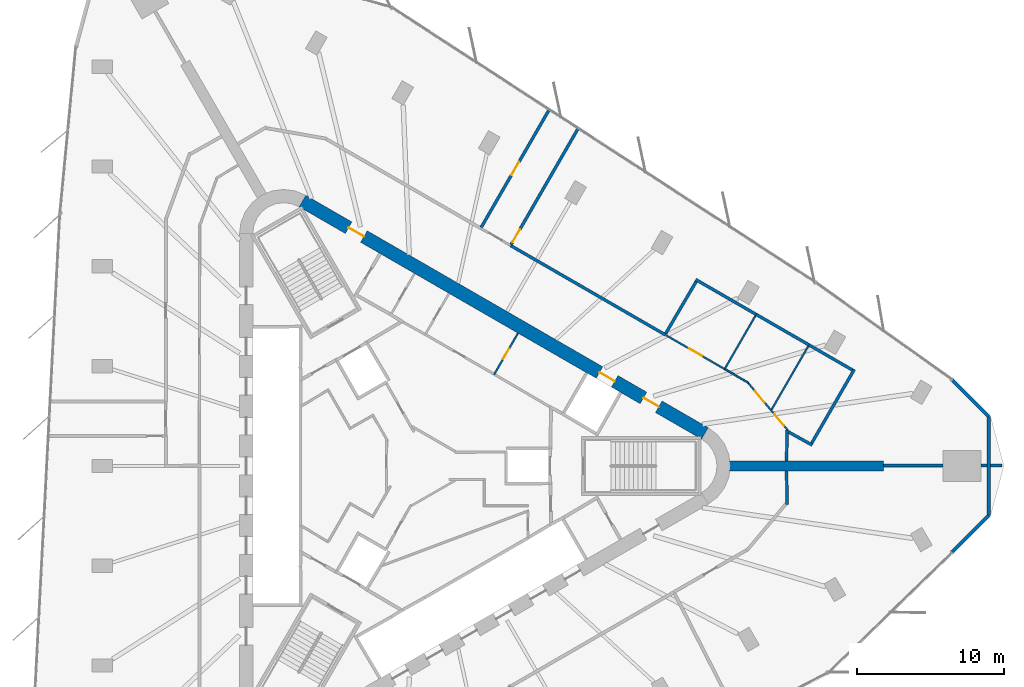
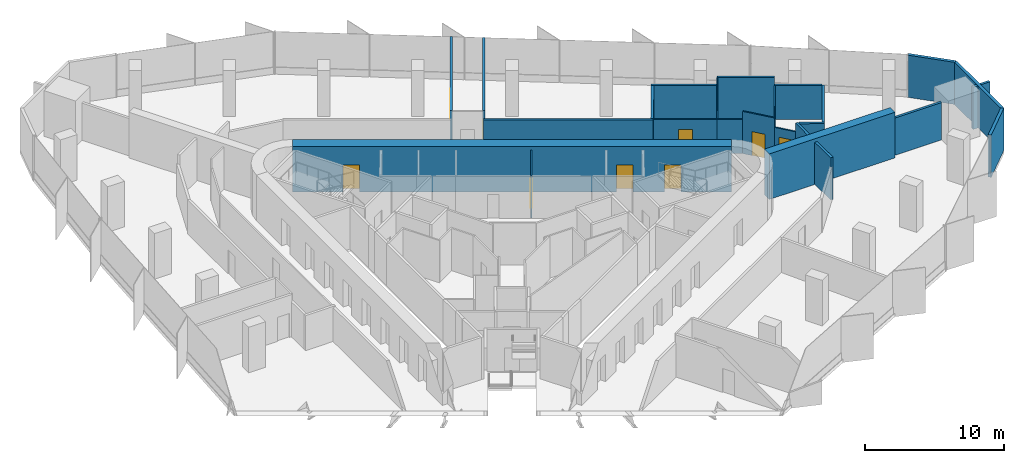
# One storey, part 12 of 14: 26 walls, 9 doors, 9 openings.
"""IFC4 building model written with IfcOpenShell, lengths in metres."""

from ifc_helpers import new_model, si_unit, direction, frame, frame_2d, origin, place, context, subcontext, project, spatial, rectangle, extrude, material, layer, layer_set, type_object, element, fill, save


model = new_model("IFC4")

# Units and contexts
model_context = context("Model", 3, precision=1e-05, world=origin(), true_north=direction((0.0, 1.0)))
body_context = subcontext(model_context, "Body", "Model", "MODEL_VIEW")
ifc_project = project(units=[si_unit("LENGTHUNIT", "METRE"), si_unit("AREAUNIT", "SQUARE_METRE"), si_unit("VOLUMEUNIT", "CUBIC_METRE"), si_unit("PLANEANGLEUNIT", "RADIAN"), si_unit("MASSUNIT", "GRAM", prefix="KILO")], contexts=[model_context])

# Site, building, storey
site_placement = place(None, origin())
site = spatial("IfcSite", under=ifc_project, at=site_placement, CompositionType="ELEMENT")
building_placement = place(site_placement, origin())
building = spatial("IfcBuilding", under=site, at=building_placement, Name="Tanit Gate Tower", CompositionType="ELEMENT")
storey_placement = place(building_placement, frame((0.0, 0.0, 261.199951171875)))
storey = spatial("IfcBuildingStorey", under=building, at=storey_placement, Name="L59", CompositionType="ELEMENT", Elevation=261.199951171875)

# Wall
ifc_material_1 = material(Name="Concrete C50/60", Category="concrete")
ifc_layer_1 = layer(ifc_material_1, 0.699951171875)
ifc_layer_set_1 = layer_set([ifc_layer_1], Name="BUTTRESS FIN 700 C50/60")
wall_type_1 = type_object("IfcWallType", Name="BUTTRESS FIN 700 C50/60", PredefinedType="SHEAR", material=ifc_layer_set_1)
wall_1_placement = place(storey_placement, frame((21.14990234375, 0.0, 0.0), z_axis=(0.0, 0.0, 1.0), x_axis=(1.0, 0.0, 0.0)))
element("IfcWall", 1, at=wall_1_placement, inside=storey, type_object=wall_type_1, Name="BUTTRESS FIN", PredefinedType="SHEAR", context=body_context, shape_type="SweptSolid", body=[
    extrude(rectangle(XDim=10.4326171875, YDim=0.699951171875, at=frame_2d((5.21630859375, 0.0))), origin(), (0.0, 0.0, 1.0), 4.0),
])

# Wall, openings, doors
ifc_material_2 = material(Name="Concrete C50/60", Category="concrete")
ifc_layer_2 = layer(ifc_material_2, 0.89990234375)
ifc_layer_set_2 = layer_set([ifc_layer_2], Name="CORE WALL 900 C50/60")
wall_type_2 = type_object("IfcWallType", Name="CORE WALL 900 C50/60", PredefinedType="SHEAR", material=ifc_layer_set_2)
wall_2_placement = place(storey_placement, frame((19.47509765625, 2.20849609375, 0.0), z_axis=(0.0, 0.0, 1.0), x_axis=(-0.866028369851, 0.499994862586, 0.0)))
wall_2 = element("IfcWall", 2, at=wall_2_placement, inside=storey, type_object=wall_type_2, Name="CORE WALL", PredefinedType="SHEAR", context=body_context, shape_type="SweptSolid", body=[
    extrude(rectangle(XDim=31.523193359375, YDim=0.89990234375, at=frame_2d((15.76171875, 0.0))), origin(), (0.0, 0.0, 1.0), 4.0),
])
opening_1_placement = place(wall_2_placement, frame((7.0615234375, 0.0, 0.0)))
opening_1 = element("IfcOpeningElement", 3, at=opening_1_placement, cuts=wall_2, Name="Opening LDML8-S16", PredefinedType="OPENING", context=body_context, shape_type="SweptSolid", body=[
    extrude(rectangle(XDim=1.199951171875, YDim=2.39990234375, at=frame_2d((0.60009765625, 1.199951171875))), frame((0.0, 0.4599609375, 0.0), z_axis=(0.0, -1.0, 0.0), x_axis=(1.0, 0.0, 0.0)), (0.0, 0.0, 1.0), 0.919921875),
])
opening_2_placement = place(wall_2_placement, frame((3.611572265625, 0.0, 0.0)))
opening_2 = element("IfcOpeningElement", 4, at=opening_2_placement, cuts=wall_2, Name="Opening F12-S16-FL1", PredefinedType="OPENING", context=body_context, shape_type="SweptSolid", body=[
    extrude(rectangle(XDim=1.199951171875, YDim=2.39990234375, at=frame_2d((0.60009765625, 1.199951171875))), frame((0.0, 0.4599609375, 0.0), z_axis=(0.0, -1.0, 0.0), x_axis=(1.0, 0.0, 0.0)), (0.0, 0.0, 1.0), 0.919921875),
])
opening_3_placement = place(wall_2_placement, frame((26.711669921875, 0.0, 0.0)))
opening_3 = element("IfcOpeningElement", 5, at=opening_3_placement, cuts=wall_2, Name="Opening F12-S16-S2", PredefinedType="OPENING", context=body_context, shape_type="SweptSolid", body=[
    extrude(rectangle(XDim=1.199951171875, YDim=2.39990234375, at=frame_2d((0.60009765625, 1.199951171875))), frame((0.0, 0.4599609375, 0.0), z_axis=(0.0, -1.0, 0.0), x_axis=(1.0, 0.0, 0.0)), (0.0, 0.0, 1.0), 0.919921875),
])
ifc_material_3 = material(Name="Fire-rated steel door leaf", Category="steel")
door_type_1 = type_object("IfcDoorType", Name="INT-DOOR-FIRE-LOBBY-1200", OperationType="NOTDEFINED", PredefinedType="USERDEFINED", material=ifc_material_3)
door_1_placement = place(opening_2_placement, origin())
door_1 = element("IfcDoor", 6, at=door_1_placement, inside=storey, type_object=door_type_1, Name="Door F12-S16-FL1", ObjectType="FIRE DOOR", OperationType="SINGLE_SWING_RIGHT", OverallHeight=2.39990234375, OverallWidth=1.199951171875, PredefinedType="USERDEFINED", context=body_context, shape_type="SweptSolid", body=[
    extrude(rectangle(XDim=1.199951171875, YDim=2.39990234375, at=frame_2d((0.60009765625, 1.199951171875))), frame((0.0, 0.02490234375, 0.0), z_axis=(0.0, -1.0, 0.0), x_axis=(1.0, 0.0, 0.0)), (0.0, 0.0, 1.0), 0.050048828125),
])
fill(opening_2, door_1)
door_2_placement = place(opening_3_placement, origin())
door_2 = element("IfcDoor", 7, at=door_2_placement, inside=storey, type_object=door_type_1, Name="Door F12-S16-S2", ObjectType="FIRE DOOR", OperationType="SINGLE_SWING_RIGHT", OverallHeight=2.39990234375, OverallWidth=1.199951171875, PredefinedType="USERDEFINED", context=body_context, shape_type="SweptSolid", body=[
    extrude(rectangle(XDim=1.199951171875, YDim=2.39990234375, at=frame_2d((0.60009765625, 1.199951171875))), frame((0.0, 0.02490234375, 0.0), z_axis=(0.0, -1.0, 0.0), x_axis=(1.0, 0.0, 0.0)), (0.0, 0.0, 1.0), 0.050048828125),
])
fill(opening_3, door_2)
ifc_material_4 = material(Name="Stainless steel sliding door leaf", Category="steel")
door_type_2 = type_object("IfcDoorType", Name="INT-DOOR-LANDING-1200", OperationType="NOTDEFINED", PredefinedType="USERDEFINED", material=ifc_material_4)
door_3_placement = place(opening_1_placement, origin())
door_3 = element("IfcDoor", 8, at=door_3_placement, inside=storey, type_object=door_type_2, Name="Door LDML8-S16", ObjectType="LANDING DOOR", OperationType="SLIDING_TO_LEFT", OverallHeight=2.39990234375, OverallWidth=1.199951171875, PredefinedType="USERDEFINED", context=body_context, shape_type="SweptSolid", body=[
    extrude(rectangle(XDim=1.199951171875, YDim=2.39990234375, at=frame_2d((0.60009765625, 1.199951171875))), frame((0.0, 0.02490234375, 0.0), z_axis=(0.0, -1.0, 0.0), x_axis=(1.0, 0.0, 0.0)), (0.0, 0.0, 1.0), 0.050048828125),
])
fill(opening_1, door_3)

# Walls
ifc_material_5 = material(Name="Concrete C30/37 with bronze anodised aluminium cladding", Category="concrete")
ifc_layer_3 = layer(ifc_material_5, 0.239990234375)
ifc_layer_set_3 = layer_set([ifc_layer_3], Name="Facade wall bronze clad 240")
wall_type_3 = type_object("IfcWallType", Name="Facade wall bronze clad 240", PredefinedType="SOLIDWALL", material=ifc_layer_set_3)
wall_3_placement = place(storey_placement, frame((36.263427734375, -5.842041015625, 0.0), z_axis=(0.0, 0.0, 1.0), x_axis=(0.707106781187, 0.707106781187, 0.0)))
element("IfcWall", 9, at=wall_3_placement, inside=storey, type_object=wall_type_3, Name="Bronze-clad facade wall L59 E.arc1", PredefinedType="SOLIDWALL", context=body_context, shape_type="SweptSolid", body=[
    extrude(rectangle(XDim=3.510009765625, YDim=0.239990234375, at=frame_2d((1.7548828125, 0.0))), origin(), (0.0, 0.0, 1.0), 3.699951171875),
])
wall_4_placement = place(storey_placement, frame((38.745361328125, -3.360107421875, 0.0), z_axis=(0.0, 0.0, 1.0), x_axis=(0.0, 1.0, 0.0)))
element("IfcWall", 10, at=wall_4_placement, inside=storey, type_object=wall_type_3, Name="Bronze-clad facade wall L59 E.arc2", PredefinedType="SOLIDWALL", context=body_context, shape_type="SweptSolid", body=[
    extrude(rectangle(XDim=6.72021484375, YDim=0.239990234375, at=frame_2d((3.360107421875, 0.0))), origin(), (0.0, 0.0, 1.0), 3.699951171875),
])
wall_5_placement = place(storey_placement, frame((38.745361328125, 3.360107421875, 0.0), z_axis=(0.0, 0.0, 1.0), x_axis=(-0.707071911409, 0.707141649244, 0.0)))
element("IfcWall", 11, at=wall_5_placement, inside=storey, type_object=wall_type_3, Name="Bronze-clad facade wall L59 E.arc3", PredefinedType="SOLIDWALL", context=body_context, shape_type="SweptSolid", body=[
    extrude(rectangle(XDim=3.500732421875, YDim=0.239990234375, at=frame_2d((1.75048828125, 0.0))), origin(), (0.0, 0.0, 1.0), 3.699951171875),
])
ifc_material_6 = material(Name="Fire-rated gypsum board partition")
ifc_layer_4 = layer(ifc_material_6, 0.199951171875)
ifc_layer_set_4 = layer_set([ifc_layer_4], Name="INT-WALL-COMPARTMENT")
wall_type_4 = type_object("IfcWallType", Name="INT-WALL-COMPARTMENT", PredefinedType="PARTITIONING", material=ifc_layer_set_4)
wall_6_placement = place(storey_placement, frame((16.82275390625, 8.8779296875, 0.0), z_axis=(0.0, 0.0, 1.0), x_axis=(-0.866020355572, 0.500008743658, 0.0)))
element("IfcWall", 12, at=wall_6_placement, inside=storey, type_object=wall_type_4, Name="Wall Compartment W103", PredefinedType="PARTITIONING", context=body_context, shape_type="SweptSolid", body=[
    extrude(rectangle(XDim=12.179931640625, YDim=0.199951171875, at=frame_2d((6.08984375, 0.0))), origin(), (0.0, 0.0, 1.0), 2.97998046875),
])
wall_7_placement = place(storey_placement, frame((25.0205078125, 0.35009765625, 0.0), z_axis=(0.0, 0.0, 1.0), x_axis=(0.012334587904, 0.999923926077, 0.0)))
element("IfcWall", 13, at=wall_7_placement, inside=storey, type_object=wall_type_4, Name="Wall Compartment W104", PredefinedType="PARTITIONING", context=body_context, shape_type="SweptSolid", body=[
    extrude(rectangle(XDim=2.078369140625, YDim=0.199951171875, at=frame_2d((1.0390625, 0.0))), origin(), (0.0, 0.0, 1.0), 3.699951171875),
])
wall_8_placement = place(storey_placement, frame((25.047607421875, -2.608154296875, 0.0), z_axis=(0.0, 0.0, 1.0), x_axis=(-0.012000433251, 0.999927992208, 0.0)))
element("IfcWall", 14, at=wall_8_placement, inside=storey, type_object=wall_type_4, Name="Wall Compartment W110", PredefinedType="PARTITIONING", context=body_context, shape_type="SweptSolid", body=[
    extrude(rectangle(XDim=2.25830078125, YDim=0.199951171875, at=frame_2d((1.129150390625, 0.0))), origin(), (0.0, 0.0, 1.0), 3.699951171875),
])

# Wall, opening, door
wall_9_placement = place(storey_placement, frame((8.912109375, 24.17626953125, 0.0), z_axis=(0.0, 0.0, 1.0), x_axis=(-0.500000924775, -0.866024869865, 0.0)))
wall_9 = element("IfcWall", 15, at=wall_9_placement, inside=storey, type_object=wall_type_4, Name="Wall Compartment W126", PredefinedType="PARTITIONING", context=body_context, shape_type="SweptSolid", body=[
    extrude(rectangle(XDim=9.2333984375, YDim=0.199951171875, at=frame_2d((4.61669921875, 0.0))), origin(), (0.0, 0.0, 1.0), 3.699951171875),
])
opening_4_placement = place(wall_9_placement, frame((4.11669921875, 0.0, 0.0)))
opening_4 = element("IfcOpeningElement", 16, at=opening_4_placement, cuts=wall_9, Name="Opening F10-S16-32", PredefinedType="OPENING", context=body_context, shape_type="SweptSolid", body=[
    extrude(rectangle(XDim=1.0, YDim=2.10009765625, at=frame_2d((0.5, 1.050048828125))), frame((0.0, 0.10986328125, 0.0), z_axis=(0.0, -1.0, 0.0), x_axis=(1.0, 0.0, 0.0)), (0.0, 0.0, 1.0), 0.219970703125),
])
ifc_material_7 = material(Name="Fire-rated steel door leaf", Category="steel")
door_type_3 = type_object("IfcDoorType", Name="INT-DOOR-FIRE-1000", OperationType="NOTDEFINED", PredefinedType="USERDEFINED", material=ifc_material_7)
door_4_placement = place(opening_4_placement, origin())
door_4 = element("IfcDoor", 17, at=door_4_placement, inside=storey, type_object=door_type_3, Name="Door F10-S16-32", ObjectType="FIRE DOOR", OperationType="SINGLE_SWING_RIGHT", OverallHeight=2.10009765625, OverallWidth=1.0, PredefinedType="USERDEFINED", context=body_context, shape_type="SweptSolid", body=[
    extrude(rectangle(XDim=1.0, YDim=2.10009765625, at=frame_2d((0.5, 1.050048828125))), frame((0.0, 0.02490234375, 0.0), z_axis=(0.0, -1.0, 0.0), x_axis=(1.0, 0.0, 0.0)), (0.0, 0.0, 1.0), 0.050048828125),
])
fill(opening_4, door_4)

wall_10_placement = place(storey_placement, frame((6.322021484375, 15.010009765625, 0.0), z_axis=(0.0, 0.0, 1.0), x_axis=(0.500009283198, 0.866020044061, 0.0)))
wall_10 = element("IfcWall", 18, at=wall_10_placement, inside=storey, type_object=wall_type_4, Name="Wall Compartment W127", PredefinedType="PARTITIONING", context=body_context, shape_type="SweptSolid", body=[
    extrude(rectangle(XDim=9.111572265625, YDim=0.199951171875, at=frame_2d((4.5556640625, 0.0))), origin(), (0.0, 0.0, 1.0), 3.699951171875),
])
opening_5_placement = place(wall_10_placement, frame((0.199951171875, 0.0, 0.0)))
opening_5 = element("IfcOpeningElement", 19, at=opening_5_placement, cuts=wall_10, Name="Opening F10-S16-33", PredefinedType="OPENING", context=body_context, shape_type="SweptSolid", body=[
    extrude(rectangle(XDim=1.0, YDim=2.10009765625, at=frame_2d((0.5, 1.050048828125))), frame((0.0, 0.10986328125, 0.0), z_axis=(0.0, -1.0, 0.0), x_axis=(1.0, 0.0, 0.0)), (0.0, 0.0, 1.0), 0.219970703125),
])
door_5_placement = place(opening_5_placement, origin())
door_5 = element("IfcDoor", 20, at=door_5_placement, inside=storey, type_object=door_type_3, Name="Door F10-S16-33", ObjectType="FIRE DOOR", OperationType="SINGLE_SWING_RIGHT", OverallHeight=2.10009765625, OverallWidth=1.0, PredefinedType="USERDEFINED", context=body_context, shape_type="SweptSolid", body=[
    extrude(rectangle(XDim=1.0, YDim=2.10009765625, at=frame_2d((0.5, 1.050048828125))), frame((0.0, 0.02490234375, 0.0), z_axis=(0.0, -1.0, 0.0), x_axis=(1.0, 0.0, 0.0)), (0.0, 0.0, 1.0), 0.050048828125),
])
fill(opening_5, door_5)

# Walls
wall_11_placement = place(storey_placement, frame((31.58251953125, 0.030029296875, 0.0), z_axis=(0.0, 0.0, 1.0), x_axis=(1.0, 0.0, 0.0)))
element("IfcWall", 21, at=wall_11_placement, inside=storey, type_object=wall_type_4, Name="Wall Compartment W128", PredefinedType="PARTITIONING", context=body_context, shape_type="SweptSolid", body=[
    extrude(rectangle(XDim=4.03759765625, YDim=0.199951171875, at=frame_2d((2.018798828125, 0.0))), origin(), (0.0, 0.0, 1.0), 3.27001953125),
])
wall_12_placement = place(storey_placement, frame((38.219970703125, 0.030029296875, 0.0), z_axis=(0.0, 0.0, 1.0), x_axis=(1.0, 0.0, 0.0)))
element("IfcWall", 22, at=wall_12_placement, inside=storey, type_object=wall_type_4, Name="Wall Compartment W129", PredefinedType="PARTITIONING", context=body_context, shape_type="SweptSolid", body=[
    extrude(rectangle(XDim=0.405517578125, YDim=0.199951171875, at=frame_2d((0.20263671875, 0.0))), origin(), (0.0, 0.0, 1.0), 3.699951171875),
])
wall_13_placement = place(storey_placement, frame((38.865478515625, 0.030029296875, 0.0), z_axis=(0.0, 0.0, 1.0), x_axis=(1.0, 0.0, 0.0)))
element("IfcWall", 23, at=wall_13_placement, inside=storey, type_object=wall_type_4, Name="Wall Compartment W129x1", PredefinedType="PARTITIONING", context=body_context, shape_type="SweptSolid", body=[
    extrude(rectangle(XDim=0.772216796875, YDim=0.199951171875, at=frame_2d((0.38623046875, 0.0))), origin(), (0.0, 0.0, 1.0), 3.699951171875),
])
wall_14_placement = place(storey_placement, frame((18.850341796875, 12.649658203125, 0.0), z_axis=(0.0, 0.0, 1.0), x_axis=(0.866019207135, -0.500010732759, 0.0)))
element("IfcWall", 24, at=wall_14_placement, inside=storey, type_object=wall_type_4, Name="Wall Compartment W130", PredefinedType="PARTITIONING", context=body_context, shape_type="SweptSolid", body=[
    extrude(rectangle(XDim=4.74072265625, YDim=0.199951171875, at=frame_2d((2.370361328125, 0.0))), origin(), (0.0, 0.0, 1.0), 2.97998046875),
])
wall_15_placement = place(storey_placement, frame((22.955810546875, 10.279296875, 0.0), z_axis=(0.0, 0.0, 1.0), x_axis=(0.86601450623, -0.500018874643, 0.0)))
element("IfcWall", 25, at=wall_15_placement, inside=storey, type_object=wall_type_4, Name="Wall Compartment W132", PredefinedType="PARTITIONING", context=body_context, shape_type="SweptSolid", body=[
    extrude(rectangle(XDim=4.135009765625, YDim=0.199951171875, at=frame_2d((2.0673828125, 0.0))), origin(), (0.0, 0.0, 1.0), 3.699951171875),
])
wall_16_placement = place(storey_placement, frame((26.536865234375, 8.211669921875, 0.0), z_axis=(0.0, 0.0, 1.0), x_axis=(0.866034661658, -0.49998396455, 0.0)))
element("IfcWall", 26, at=wall_16_placement, inside=storey, type_object=wall_type_4, Name="Wall Compartment W135", PredefinedType="PARTITIONING", context=body_context, shape_type="SweptSolid", body=[
    extrude(rectangle(XDim=3.39404296875, YDim=0.199951171875, at=frame_2d((1.697021484375, 0.0))), origin(), (0.0, 0.0, 1.0), 2.97998046875),
])
wall_17_placement = place(storey_placement, frame((18.88623046875, 12.513427734375, 0.0), z_axis=(0.0, 0.0, 1.0), x_axis=(-0.506023514177, -0.862519682732, 0.0)))
element("IfcWall", 27, at=wall_17_placement, inside=storey, type_object=wall_type_4, Name="Wall Compartment W131", PredefinedType="PARTITIONING", context=body_context, shape_type="SweptSolid", body=[
    extrude(rectangle(XDim=4.080322265625, YDim=0.199951171875, at=frame_2d((2.0400390625, 0.0))), origin(), (0.0, 0.0, 1.0), 2.97998046875),
])
wall_18_placement = place(storey_placement, frame((25.1455078125, 2.308349609375, 0.0), z_axis=(0.0, 0.0, 1.0), x_axis=(0.873988954693, -0.485945786147, 0.0)))
element("IfcWall", 28, at=wall_18_placement, inside=storey, type_object=wall_type_4, Name="Wall Compartment W133", PredefinedType="PARTITIONING", context=body_context, shape_type="SweptSolid", body=[
    extrude(rectangle(XDim=1.847900390625, YDim=0.199951171875, at=frame_2d((0.923828125, 0.0))), origin(), (0.0, 0.0, 1.0), 3.699951171875),
])
wall_19_placement = place(storey_placement, frame((26.722900390625, 1.545654296875, 0.0), z_axis=(0.0, 0.0, 1.0), x_axis=(0.500018609004, 0.866014659605, 0.0)))
element("IfcWall", 29, at=wall_19_placement, inside=storey, type_object=wall_type_4, Name="Wall Compartment W134", PredefinedType="PARTITIONING", context=body_context, shape_type="SweptSolid", body=[
    extrude(rectangle(XDim=5.780029296875, YDim=0.199951171875, at=frame_2d((2.89013671875, 0.0))), origin(), (0.0, 0.0, 1.0), 2.880126953125),
])

# Wall, opening, door
ifc_material_8 = material(Name="Gypsum board partition")
ifc_layer_5 = layer(ifc_material_8, 0.1201171875)
ifc_layer_set_5 = layer_set([ifc_layer_5], Name="INT-WALL-PARTITION")
wall_type_5 = type_object("IfcWallType", Name="INT-WALL-PARTITION", PredefinedType="PARTITIONING", material=ifc_layer_set_5)
wall_20_placement = place(storey_placement, frame((6.795166015625, 9.009521484375, 0.0), z_axis=(0.0, 0.0, 1.0), x_axis=(-0.499984717929, -0.866034226713, 0.0)))
wall_20 = element("IfcWall", 30, at=wall_20_placement, inside=storey, type_object=wall_type_5, Name="Wall Partition W050", PredefinedType="PARTITIONING", context=body_context, shape_type="SweptSolid", body=[
    extrude(rectangle(XDim=3.25, YDim=0.1201171875, at=frame_2d((1.625, 0.0))), origin(), (0.0, 0.0, 1.0), 3.699951171875),
])
opening_6_placement = place(wall_20_placement, frame((1.22509765625, 0.0, 0.0)))
opening_6 = element("IfcOpeningElement", 31, at=opening_6_placement, cuts=wall_20, Name="Opening R08-S16-14", PredefinedType="OPENING", context=body_context, shape_type="SweptSolid", body=[
    extrude(rectangle(XDim=0.800048828125, YDim=2.10009765625, at=frame_2d((0.39990234375, 1.050048828125))), frame((0.0, 0.070068359375, 0.0), z_axis=(0.0, -1.0, 0.0), x_axis=(1.0, 0.0, 0.0)), (0.0, 0.0, 1.0), 0.14013671875),
])
ifc_material_9 = material(Name="Timber door leaf", Category="wood")
door_type_4 = type_object("IfcDoorType", Name="INT-DOOR-RISER-800", OperationType="NOTDEFINED", PredefinedType="USERDEFINED", material=ifc_material_9)
door_6_placement = place(opening_6_placement, origin())
door_6 = element("IfcDoor", 32, at=door_6_placement, inside=storey, type_object=door_type_4, Name="Door R08-S16-14", ObjectType="FIRE DOOR", OperationType="SINGLE_SWING_RIGHT", OverallHeight=2.10009765625, OverallWidth=0.800048828125, PredefinedType="USERDEFINED", context=body_context, shape_type="SweptSolid", body=[
    extrude(rectangle(XDim=0.800048828125, YDim=2.10009765625, at=frame_2d((0.39990234375, 1.050048828125))), frame((0.0, 0.02490234375, 0.0), z_axis=(0.0, -1.0, 0.0), x_axis=(1.0, 0.0, 0.0)), (0.0, 0.0, 1.0), 0.050048828125),
])
fill(opening_6, door_6)

# Wall
wall_21_placement = place(storey_placement, frame((22.431396484375, 5.639892578125, 0.0), z_axis=(0.0, 0.0, 1.0), x_axis=(-0.866019968675, 0.500009413767, 0.0)))
element("IfcWall", 33, at=wall_21_placement, inside=storey, type_object=wall_type_5, Name="Wall Partition W106", PredefinedType="PARTITIONING", context=body_context, shape_type="SweptSolid", body=[
    extrude(rectangle(XDim=1.86572265625, YDim=0.1201171875, at=frame_2d((0.932861328125, 0.0))), origin(), (0.0, 0.0, 1.0), 2.97998046875),
])

# Wall, opening, door
wall_22_placement = place(storey_placement, frame((20.815673828125, 6.57275390625, 0.0), z_axis=(0.0, 0.0, 1.0), x_axis=(-0.866038816861, 0.499976767151, 0.0)))
wall_22 = element("IfcWall", 34, at=wall_22_placement, inside=storey, type_object=wall_type_5, Name="Wall Partition W105", PredefinedType="PARTITIONING", context=body_context, shape_type="SweptSolid", body=[
    extrude(rectangle(XDim=4.570556640625, YDim=0.1201171875, at=frame_2d((2.28515625, 0.0))), origin(), (0.0, 0.0, 1.0), 2.97998046875),
])
opening_7_placement = place(wall_22_placement, frame((1.785400390625, 0.0, 0.0)))
opening_7 = element("IfcOpeningElement", 35, at=opening_7_placement, cuts=wall_22, Name="Opening D10-S16-27", PredefinedType="OPENING", context=body_context, shape_type="SweptSolid", body=[
    extrude(rectangle(XDim=1.0, YDim=2.10009765625, at=frame_2d((0.5, 1.050048828125))), frame((0.0, 0.070068359375, 0.0), z_axis=(0.0, -1.0, 0.0), x_axis=(1.0, 0.0, 0.0)), (0.0, 0.0, 1.0), 0.14013671875),
])
ifc_material_10 = material(Name="Timber door leaf", Category="wood")
door_type_5 = type_object("IfcDoorType", Name="INT-DOOR-SINGLE-1000", OperationType="NOTDEFINED", PredefinedType="NOTDEFINED", material=ifc_material_10)
door_7_placement = place(opening_7_placement, origin())
door_7 = element("IfcDoor", 36, at=door_7_placement, inside=storey, type_object=door_type_5, Name="Door D10-S16-27", OperationType="SINGLE_SWING_RIGHT", OverallHeight=2.10009765625, OverallWidth=1.0, PredefinedType="NOTDEFINED", context=body_context, shape_type="SweptSolid", body=[
    extrude(rectangle(XDim=1.0, YDim=2.10009765625, at=frame_2d((0.5, 1.050048828125))), frame((0.0, 0.02490234375, 0.0), z_axis=(0.0, -1.0, 0.0), x_axis=(1.0, 0.0, 0.0)), (0.0, 0.0, 1.0), 0.050048828125),
])
fill(opening_7, door_7)

wall_23_placement = place(storey_placement, frame((25.10009765625, 2.427490234375, 0.0), z_axis=(0.0, 0.0, 1.0), x_axis=(-0.642728930344, 0.766093677104, 0.0)))
wall_23 = element("IfcWall", 37, at=wall_23_placement, inside=storey, type_object=wall_type_5, Name="Wall Partition W108", PredefinedType="PARTITIONING", context=body_context, shape_type="SweptSolid", body=[
    extrude(rectangle(XDim=1.743408203125, YDim=0.1201171875, at=frame_2d((0.87158203125, 0.0))), origin(), (0.0, 0.0, 1.0), 2.880126953125),
])
opening_8_placement = place(wall_23_placement, frame((0.413818359375, 0.0, 0.0)))
opening_8 = element("IfcOpeningElement", 38, at=opening_8_placement, cuts=wall_23, Name="Opening D10-S16-29", PredefinedType="OPENING", context=body_context, shape_type="SweptSolid", body=[
    extrude(rectangle(XDim=1.0, YDim=2.10009765625, at=frame_2d((0.5, 1.050048828125))), frame((0.0, 0.070068359375, 0.0), z_axis=(0.0, -1.0, 0.0), x_axis=(1.0, 0.0, 0.0)), (0.0, 0.0, 1.0), 0.14013671875),
])
door_8_placement = place(opening_8_placement, origin())
door_8 = element("IfcDoor", 39, at=door_8_placement, inside=storey, type_object=door_type_5, Name="Door D10-S16-29", OperationType="SINGLE_SWING_LEFT", OverallHeight=2.10009765625, OverallWidth=1.0, PredefinedType="NOTDEFINED", context=body_context, shape_type="SweptSolid", body=[
    extrude(rectangle(XDim=1.0, YDim=2.10009765625, at=frame_2d((0.5, 1.050048828125))), frame((0.0, 0.02490234375, 0.0), z_axis=(0.0, -1.0, 0.0), x_axis=(1.0, 0.0, 0.0)), (0.0, 0.0, 1.0), 0.050048828125),
])
fill(opening_8, door_8)

wall_24_placement = place(storey_placement, frame((23.9794921875, 3.76318359375, 0.0), z_axis=(0.0, 0.0, 1.0), x_axis=(-0.642800687269, 0.766033469535, 0.0)))
wall_24 = element("IfcWall", 40, at=wall_24_placement, inside=storey, type_object=wall_type_5, Name="Wall Partition W107", PredefinedType="PARTITIONING", context=body_context, shape_type="SweptSolid", body=[
    extrude(rectangle(XDim=2.428955078125, YDim=0.1201171875, at=frame_2d((1.21435546875, 0.0))), origin(), (0.0, 0.0, 1.0), 3.699951171875),
])
opening_9_placement = place(wall_24_placement, frame((0.714599609375, 0.0, 0.0)))
opening_9 = element("IfcOpeningElement", 41, at=opening_9_placement, cuts=wall_24, Name="Opening D10-S16-28", PredefinedType="OPENING", context=body_context, shape_type="SweptSolid", body=[
    extrude(rectangle(XDim=1.0, YDim=2.10009765625, at=frame_2d((0.5, 1.050048828125))), frame((0.0, 0.070068359375, 0.0), z_axis=(0.0, -1.0, 0.0), x_axis=(1.0, 0.0, 0.0)), (0.0, 0.0, 1.0), 0.14013671875),
])
door_9_placement = place(opening_9_placement, origin())
door_9 = element("IfcDoor", 42, at=door_9_placement, inside=storey, type_object=door_type_5, Name="Door D10-S16-28", OperationType="SINGLE_SWING_RIGHT", OverallHeight=2.10009765625, OverallWidth=1.0, PredefinedType="NOTDEFINED", context=body_context, shape_type="SweptSolid", body=[
    extrude(rectangle(XDim=1.0, YDim=2.10009765625, at=frame_2d((0.5, 1.050048828125))), frame((0.0, 0.02490234375, 0.0), z_axis=(0.0, -1.0, 0.0), x_axis=(1.0, 0.0, 0.0)), (0.0, 0.0, 1.0), 0.050048828125),
])
fill(opening_9, door_9)

# Walls
wall_25_placement = place(storey_placement, frame((20.845703125, 6.624755859375, 0.0), z_axis=(0.0, 0.0, 1.0), x_axis=(0.50002680699, 0.866009926209, 0.0)))
element("IfcWall", 43, at=wall_25_placement, inside=storey, type_object=wall_type_5, Name="Wall Partition W149", PredefinedType="PARTITIONING", context=body_context, shape_type="SweptSolid", body=[
    extrude(rectangle(XDim=4.119873046875, YDim=0.1201171875, at=frame_2d((2.06005859375, 0.0))), origin(), (0.0, 0.0, 1.0), 3.699951171875),
])
wall_26_placement = place(storey_placement, frame((26.487060546875, 8.125, 0.0), z_axis=(0.0, 0.0, 1.0), x_axis=(-0.500037493495, -0.866003755823, 0.0)))
element("IfcWall", 44, at=wall_26_placement, inside=storey, type_object=wall_type_5, Name="Wall Partition W150", PredefinedType="PARTITIONING", context=body_context, shape_type="SweptSolid", body=[
    extrude(rectangle(XDim=4.9638671875, YDim=0.1201171875, at=frame_2d((2.48193359375, 0.0))), origin(), (0.0, 0.0, 1.0), 2.97998046875),
])

save(model, "model.ifc")
